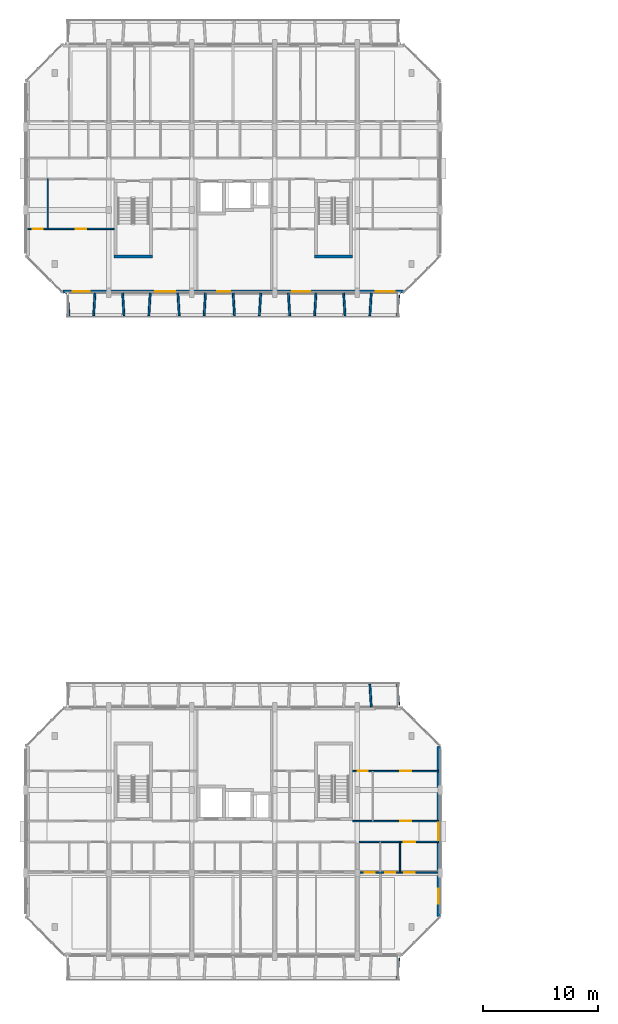
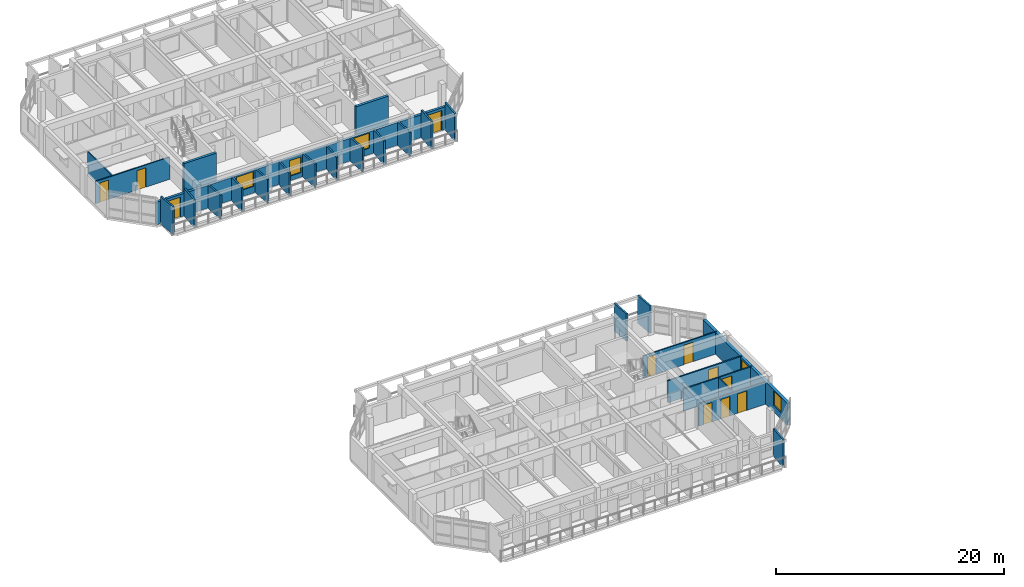
# One storey, part 19 of 45: 27 walls, 11 doors, 5 windows, 16 openings.
"""IFC4 building model written with IfcOpenShell, lengths in metres."""

from ifc_helpers import new_model, si_unit, direction, frame, frame_2d, origin, place, context, subcontext, project, spatial, rectangle, extrude, material, layer, layer_set, type_object, element, fill, save


model = new_model("IFC4")

# Units and contexts
model_context = context("Model", 3, precision=1e-05, world=origin(), true_north=direction((0.0, 1.0)))
body_context = subcontext(model_context, "Body", "Model", "MODEL_VIEW")
ifc_project = project(units=[si_unit("LENGTHUNIT", "METRE"), si_unit("AREAUNIT", "SQUARE_METRE"), si_unit("VOLUMEUNIT", "CUBIC_METRE"), si_unit("PLANEANGLEUNIT", "RADIAN"), si_unit("MASSUNIT", "GRAM", prefix="KILO")], contexts=[model_context])

# Site, building, storey
site_placement = place(None, origin())
site = spatial("IfcSite", under=ifc_project, at=site_placement, CompositionType="ELEMENT")
building_placement = place(site_placement, origin())
building = spatial("IfcBuilding", under=site, at=building_placement, Name="Ochrevale Crest", CompositionType="ELEMENT")
storey_placement = place(building_placement, frame((0.0, 0.0, 18.14990234375)))
storey = spatial("IfcBuildingStorey", under=building, at=storey_placement, Name="L05", CompositionType="ELEMENT", Elevation=18.14990234375)

# Wall, opening, door
ifc_material_1 = material(Name="Gypsum plasterboard", Category="gypsum")
ifc_layer_1 = layer(ifc_material_1, 0.139892578125)
ifc_layer_set_1 = layer_set([ifc_layer_1], Name="Gypsum plasterboard")
wall_type_1 = type_object("IfcWallType", Name="WL-COR-140", PredefinedType="PARTITIONING", material=ifc_layer_set_1)
wall_1_placement = place(storey_placement, frame((28.93994140625, 24.300048828125, 0.0), z_axis=(0.0, 0.0, 1.0), x_axis=(1.0, 0.0, 0.0)))
wall_1 = element("IfcWall", 1, at=wall_1_placement, inside=storey, type_object=wall_type_1, Name="Apartment A-L05-U5 corridor wall", PredefinedType="PARTITIONING", context=body_context, shape_type="SweptSolid", body=[
    extrude(rectangle(XDim=6.920166015625, YDim=0.139892578125, at=frame_2d((3.4599609375, 0.0))), origin(), (0.0, 0.0, 1.0), 2.380126953125),
])
opening_1_placement = place(wall_1_placement, frame((4.875, 0.0, 0.0), z_axis=(0.0, 0.0, 1.0), x_axis=(-1.0, 0.0, 0.0)))
opening_1 = element("IfcOpeningElement", 2, at=opening_1_placement, cuts=wall_1, Name="Opening FD01", PredefinedType="OPENING", context=body_context, shape_type="SweptSolid", body=[
    extrude(rectangle(XDim=0.97998046875, YDim=2.10009765625, at=frame_2d((0.489990234375, 1.050048828125))), frame((0.0, 0.080078125, 0.0), z_axis=(0.0, -1.0, 0.0), x_axis=(1.0, 0.0, 0.0)), (0.0, 0.0, 1.0), 0.159912109375),
])
ifc_material_2 = material(Name="Solid-core FSC hardwood", Category="wood")
door_type_1 = type_object("IfcDoorType", Name="DR-APT-950", OperationType="NOTDEFINED", PredefinedType="DOOR", material=ifc_material_2)
door_1_placement = place(opening_1_placement, origin())
door_1 = element("IfcDoor", 3, at=door_1_placement, inside=storey, type_object=door_type_1, Name="Apartment A-L05-U5 entrance door", OperationType="SINGLE_SWING_RIGHT", OverallHeight=2.10009765625, OverallWidth=0.97998046875, PredefinedType="DOOR", context=body_context, shape_type="SweptSolid", body=[
    extrude(rectangle(XDim=0.97998046875, YDim=2.10009765625, at=frame_2d((0.489990234375, 1.050048828125))), frame((0.0, 0.02490234375, 0.0), z_axis=(0.0, -1.0, 0.0), x_axis=(1.0, 0.0, 0.0)), (0.0, 0.0, 1.0), 0.050048828125),
])
fill(opening_1, door_1)

wall_2_placement = place(storey_placement, frame((28.389892578125, 26.10009765625, 0.0), z_axis=(0.0, 0.0, 1.0), x_axis=(1.0, 0.0, 0.0)))
wall_2 = element("IfcWall", 4, at=wall_2_placement, inside=storey, type_object=wall_type_1, Name="Suite A-L05-CE corridor wall", PredefinedType="PARTITIONING", context=body_context, shape_type="SweptSolid", body=[
    extrude(rectangle(XDim=7.47021484375, YDim=0.139892578125, at=frame_2d((3.735107421875, 0.0))), origin(), (0.0, 0.0, 1.0), 2.380126953125),
])
opening_2_placement = place(wall_2_placement, frame((5.10009765625, 0.0, 0.0), z_axis=(0.0, 0.0, 1.0), x_axis=(-1.0, 0.0, 0.0)))
opening_2 = element("IfcOpeningElement", 5, at=opening_2_placement, cuts=wall_2, Name="Opening FD01", PredefinedType="OPENING", context=body_context, shape_type="SweptSolid", body=[
    extrude(rectangle(XDim=0.97998046875, YDim=2.10009765625, at=frame_2d((0.489990234375, 1.050048828125))), frame((0.0, 0.080078125, 0.0), z_axis=(0.0, -1.0, 0.0), x_axis=(1.0, 0.0, 0.0)), (0.0, 0.0, 1.0), 0.159912109375),
])
door_2_placement = place(opening_2_placement, origin())
door_2 = element("IfcDoor", 6, at=door_2_placement, inside=storey, type_object=door_type_1, Name="Suite A-L05-CE entrance door", OperationType="SINGLE_SWING_RIGHT", OverallHeight=2.10009765625, OverallWidth=0.97998046875, PredefinedType="DOOR", context=body_context, shape_type="SweptSolid", body=[
    extrude(rectangle(XDim=0.97998046875, YDim=2.10009765625, at=frame_2d((0.489990234375, 1.050048828125))), frame((0.0, 0.02490234375, 0.0), z_axis=(0.0, -1.0, 0.0), x_axis=(1.0, 0.0, 0.0)), (0.0, 0.0, 1.0), 0.050048828125),
])
fill(opening_2, door_2)

# Walls
ifc_material_3 = material(Name="Precast concrete C50/60", Category="concrete")
ifc_layer_2 = layer(ifc_material_3, 0.2548828125)
ifc_layer_set_2 = layer_set([ifc_layer_2], Name="Precast concrete C50/60")
wall_type_2 = type_object("IfcWallType", Name="WL-CORE-255", PredefinedType="SHEAR", material=ifc_layer_set_2)
for number, where, z_axis, x_axis, name in (
    (7, (7.672607421875, 75.14990234375, 0.0), (0.0, 0.0, 1.0), (1.0, 0.0, 0.0), "Block B L05 Stair 1 precast core shear wall S"),
    (8, (25.072509765625, 75.14990234375, 0.0), (0.0, 0.0, 1.0), (1.0, 0.0, 0.0), "Block B L05 Stair 2 precast core shear wall S"),
):
    element("IfcWall", number, at=place(storey_placement, frame(where, z_axis=z_axis, x_axis=x_axis)), inside=storey, type_object=wall_type_2, Name=name, PredefinedType="SHEAR", context=body_context, shape_type="SweptSolid", body=[
        extrude(rectangle(XDim=3.304931640625, YDim=0.2548828125, at=frame_2d((1.65234375, 0.0))), origin(), (0.0, 0.0, 1.0), 3.150146484375),
    ])

# Wall, openings, windows
ifc_material_4 = material(Name="Clay face brickwork", Category="masonry")
ifc_layer_3 = layer(ifc_material_4, 0.2900390625)
ifc_layer_set_3 = layer_set([ifc_layer_3], Name="Clay face brickwork")
wall_type_3 = type_object("IfcWallType", Name="WL-EXT-BRICK-290", PredefinedType="SOLIDWALL", material=ifc_layer_set_3)
wall_3_placement = place(storey_placement, frame((35.85498046875, 17.800048828125, 0.0), z_axis=(0.0, 0.0, 1.0), x_axis=(0.0, 1.0, 0.0)))
wall_3 = element("IfcWall", 9, at=wall_3_placement, inside=storey, type_object=wall_type_3, Name="Block A L05 external facade wall E3", PredefinedType="SOLIDWALL", context=body_context, shape_type="SweptSolid", body=[
    extrude(rectangle(XDim=14.800048828125, YDim=0.2900390625, at=frame_2d((7.39990234375, 0.0))), origin(), (0.0, 0.0, 1.0), 2.380126953125),
])
opening_3_placement = place(wall_3_placement, frame((6.64990234375, 0.0, 1.050048828125)))
opening_3 = element("IfcOpeningElement", 10, at=opening_3_placement, cuts=wall_3, Name="Opening W18", PredefinedType="OPENING", context=body_context, shape_type="SweptSolid", body=[
    extrude(rectangle(XDim=1.5, YDim=1.14990234375, at=frame_2d((0.75, 0.574951171875))), frame((0.0, 0.155029296875, 0.0), z_axis=(0.0, -1.0, 0.0), x_axis=(1.0, 0.0, 0.0)), (0.0, 0.0, 1.0), 0.31005859375),
])
opening_4_placement = place(wall_3_placement, frame((1.135009765625, 0.0, 0.719970703125)))
opening_4 = element("IfcOpeningElement", 11, at=opening_4_placement, cuts=wall_3, Name="Opening W30", PredefinedType="OPENING", context=body_context, shape_type="SweptSolid", body=[
    extrude(rectangle(XDim=1.300048828125, YDim=1.550048828125, at=frame_2d((0.64990234375, 0.77490234375))), frame((0.0, 0.155029296875, 0.0), z_axis=(0.0, -1.0, 0.0), x_axis=(1.0, 0.0, 0.0)), (0.0, 0.0, 1.0), 0.31005859375),
])
ifc_material_5 = material(Name="Anodised aluminium 6063-T5 and low-E double glazing", Category="aluminium")
window_type_1 = type_object("IfcWindowType", Name="WIN-W18", PartitioningType="SINGLE_PANEL", PredefinedType="WINDOW", material=ifc_material_5)
window_1_placement = place(opening_3_placement, origin())
window_1 = element("IfcWindow", 12, at=window_1_placement, inside=storey, type_object=window_type_1, Name="Block A L05 corridor end daylight window E", OverallHeight=1.14990234375, OverallWidth=1.5, PartitioningType="SINGLE_PANEL", PredefinedType="WINDOW", context=body_context, shape_type="SweptSolid", body=[
    extrude(rectangle(XDim=1.5, YDim=1.14990234375, at=frame_2d((0.75, 0.574951171875))), frame((0.0, 0.030029296875, 0.0), z_axis=(0.0, -1.0, 0.0), x_axis=(1.0, 0.0, 0.0)), (0.0, 0.0, 1.0), 0.06005859375),
])
fill(opening_3, window_1)
window_type_2 = type_object("IfcWindowType", Name="WIN-W30", PartitioningType="SINGLE_PANEL", PredefinedType="WINDOW", material=ifc_material_5)
window_2_placement = place(opening_4_placement, origin())
window_2 = element("IfcWindow", 13, at=window_2_placement, inside=storey, type_object=window_type_2, Name="Block A L05 side suite window E", OverallHeight=1.550048828125, OverallWidth=1.300048828125, PartitioningType="SINGLE_PANEL", PredefinedType="WINDOW", context=body_context, shape_type="SweptSolid", body=[
    extrude(rectangle(XDim=1.300048828125, YDim=1.550048828125, at=frame_2d((0.64990234375, 0.77490234375))), frame((0.0, 0.030029296875, 0.0), z_axis=(0.0, -1.0, 0.0), x_axis=(1.0, 0.0, 0.0)), (0.0, 0.0, 1.0), 0.06005859375),
])
fill(opening_4, window_2)

# Wall, openings, doors, windows
ifc_material_6 = material(Name="Precast concrete C40/50", Category="concrete")
ifc_layer_4 = layer(ifc_material_6, 0.25)
ifc_layer_set_4 = layer_set([ifc_layer_4], Name="Precast concrete C40/50")
wall_type_4 = type_object("IfcWallType", Name="WL-EXT-GOLD-250", PredefinedType="SOLIDWALL", material=ifc_layer_set_4)
wall_4_placement = place(storey_placement, frame((3.199951171875, 72.125, 0.0), z_axis=(0.0, 0.0, 1.0), x_axis=(1.0, 0.0, 0.0)))
wall_4 = element("IfcWall", 14, at=wall_4_placement, inside=storey, type_object=wall_type_4, Name="Block B L05 external facade wall E1", PredefinedType="SOLIDWALL", context=body_context, shape_type="SweptSolid", body=[
    extrude(rectangle(XDim=29.60009765625, YDim=0.25, at=frame_2d((14.800048828125, 0.0))), origin(), (0.0, 0.0, 1.0), 2.43017578125),
])
opening_5_placement = place(wall_4_placement, frame((2.35009765625, 0.0, 0.0), z_axis=(0.0, 0.0, 1.0), x_axis=(-1.0, 0.0, 0.0)))
opening_5 = element("IfcOpeningElement", 15, at=opening_5_placement, cuts=wall_4, Name="Opening BD01", PredefinedType="OPENING", context=body_context, shape_type="SweptSolid", body=[
    extrude(rectangle(XDim=1.5, YDim=2.14990234375, at=frame_2d((0.75, 1.074951171875))), frame((0.0, 0.135009765625, 0.0), z_axis=(0.0, -1.0, 0.0), x_axis=(1.0, 0.0, 0.0)), (0.0, 0.0, 1.0), 0.27001953125),
])
opening_6_placement = place(wall_4_placement, frame((28.824951171875, 0.0, 0.0), z_axis=(0.0, 0.0, 1.0), x_axis=(-1.0, 0.0, 0.0)))
opening_6 = element("IfcOpeningElement", 16, at=opening_6_placement, cuts=wall_4, Name="Opening BD02", PredefinedType="OPENING", context=body_context, shape_type="SweptSolid", body=[
    extrude(rectangle(XDim=1.64990234375, YDim=2.14990234375, at=frame_2d((0.824951171875, 1.074951171875))), frame((0.0, 0.135009765625, 0.0), z_axis=(0.0, -1.0, 0.0), x_axis=(1.0, 0.0, 0.0)), (0.0, 0.0, 1.0), 0.27001953125),
])
opening_7_placement = place(wall_4_placement, frame((13.419921875, 0.0, 0.5)))
opening_7 = element("IfcOpeningElement", 17, at=opening_7_placement, cuts=wall_4, Name="Opening W32", PredefinedType="OPENING", context=body_context, shape_type="SweptSolid", body=[
    extrude(rectangle(XDim=1.14990234375, YDim=1.679931640625, at=frame_2d((0.574951171875, 0.83984375))), frame((0.0, 0.135009765625, 0.0), z_axis=(0.0, -1.0, 0.0), x_axis=(1.0, 0.0, 0.0)), (0.0, 0.0, 1.0), 0.27001953125),
])
opening_8_placement = place(wall_4_placement, frame((19.93505859375, 0.0, 0.699951171875)))
opening_8 = element("IfcOpeningElement", 18, at=opening_8_placement, cuts=wall_4, Name="Opening W09", PredefinedType="OPENING", context=body_context, shape_type="SweptSolid", body=[
    extrude(rectangle(XDim=1.580078125, YDim=1.60009765625, at=frame_2d((0.7900390625, 0.800048828125))), frame((0.0, 0.135009765625, 0.0), z_axis=(0.0, -1.0, 0.0), x_axis=(1.0, 0.0, 0.0)), (0.0, 0.0, 1.0), 0.27001953125),
])
opening_9_placement = place(wall_4_placement, frame((8.0400390625, 0.0, 0.699951171875)))
opening_9 = element("IfcOpeningElement", 19, at=opening_9_placement, cuts=wall_4, Name="Opening W10", PredefinedType="OPENING", context=body_context, shape_type="SweptSolid", body=[
    extrude(rectangle(XDim=1.719970703125, YDim=1.60009765625, at=frame_2d((0.85986328125, 0.800048828125))), frame((0.0, 0.135009765625, 0.0), z_axis=(0.0, -1.0, 0.0), x_axis=(1.0, 0.0, 0.0)), (0.0, 0.0, 1.0), 0.27001953125),
])
ifc_material_7 = material(Name="Anodised aluminium 6063-T5 and toughened glass", Category="aluminium")
door_type_2 = type_object("IfcDoorType", Name="DR-BAL-1500", OperationType="NOTDEFINED", PredefinedType="DOOR", material=ifc_material_7)
door_3_placement = place(opening_5_placement, origin())
door_3 = element("IfcDoor", 20, at=door_3_placement, inside=storey, type_object=door_type_2, Name="Block B L05 balcony door S1", OperationType="SINGLE_SWING_RIGHT", OverallHeight=2.14990234375, OverallWidth=1.5, PredefinedType="DOOR", context=body_context, shape_type="SweptSolid", body=[
    extrude(rectangle(XDim=1.5, YDim=2.14990234375, at=frame_2d((0.75, 1.074951171875))), frame((0.0, 0.02490234375, 0.0), z_axis=(0.0, -1.0, 0.0), x_axis=(1.0, 0.0, 0.0)), (0.0, 0.0, 1.0), 0.050048828125),
])
fill(opening_5, door_3)
door_type_3 = type_object("IfcDoorType", Name="DR-BAL-1650", OperationType="NOTDEFINED", PredefinedType="DOOR", material=ifc_material_7)
door_4_placement = place(opening_6_placement, origin())
door_4 = element("IfcDoor", 21, at=door_4_placement, inside=storey, type_object=door_type_3, Name="Block B L05 balcony door S5", OperationType="SINGLE_SWING_LEFT", OverallHeight=2.14990234375, OverallWidth=1.64990234375, PredefinedType="DOOR", context=body_context, shape_type="SweptSolid", body=[
    extrude(rectangle(XDim=1.64990234375, YDim=2.14990234375, at=frame_2d((0.824951171875, 1.074951171875))), frame((0.0, 0.02490234375, 0.0), z_axis=(0.0, -1.0, 0.0), x_axis=(1.0, 0.0, 0.0)), (0.0, 0.0, 1.0), 0.050048828125),
])
fill(opening_6, door_4)
window_type_3 = type_object("IfcWindowType", Name="WIN-W09", PartitioningType="SINGLE_PANEL", PredefinedType="WINDOW", material=ifc_material_5)
window_3_placement = place(opening_8_placement, origin())
window_3 = element("IfcWindow", 22, at=window_3_placement, inside=storey, type_object=window_type_3, Name="Block B L05 Suite B-L05-ME Garden Alcove Studio window", OverallHeight=1.60009765625, OverallWidth=1.580078125, PartitioningType="SINGLE_PANEL", PredefinedType="WINDOW", context=body_context, shape_type="SweptSolid", body=[
    extrude(rectangle(XDim=1.580078125, YDim=1.60009765625, at=frame_2d((0.7900390625, 0.800048828125))), frame((0.0, 0.030029296875, 0.0), z_axis=(0.0, -1.0, 0.0), x_axis=(1.0, 0.0, 0.0)), (0.0, 0.0, 1.0), 0.06005859375),
])
fill(opening_8, window_3)
window_type_4 = type_object("IfcWindowType", Name="WIN-W10", PartitioningType="SINGLE_PANEL", PredefinedType="WINDOW", material=ifc_material_5)
window_4_placement = place(opening_9_placement, origin())
window_4 = element("IfcWindow", 23, at=window_4_placement, inside=storey, type_object=window_type_4, Name="Block B L05 Suite B-L05-MW Courtyard Studio Living window", OverallHeight=1.60009765625, OverallWidth=1.719970703125, PartitioningType="SINGLE_PANEL", PredefinedType="WINDOW", context=body_context, shape_type="SweptSolid", body=[
    extrude(rectangle(XDim=1.719970703125, YDim=1.60009765625, at=frame_2d((0.85986328125, 0.800048828125))), frame((0.0, 0.030029296875, 0.0), z_axis=(0.0, -1.0, 0.0), x_axis=(1.0, 0.0, 0.0)), (0.0, 0.0, 1.0), 0.06005859375),
])
fill(opening_9, window_4)
window_type_5 = type_object("IfcWindowType", Name="WIN-W32", PartitioningType="SINGLE_PANEL", PredefinedType="WINDOW", material=ifc_material_5)
window_5_placement = place(opening_7_placement, origin())
window_5 = element("IfcWindow", 24, at=window_5_placement, inside=storey, type_object=window_type_5, Name="Block B L05 core lancet window", OverallHeight=1.679931640625, OverallWidth=1.14990234375, PartitioningType="SINGLE_PANEL", PredefinedType="WINDOW", context=body_context, shape_type="SweptSolid", body=[
    extrude(rectangle(XDim=1.14990234375, YDim=1.679931640625, at=frame_2d((0.574951171875, 0.83984375))), frame((0.0, 0.030029296875, 0.0), z_axis=(0.0, -1.0, 0.0), x_axis=(1.0, 0.0, 0.0)), (0.0, 0.0, 1.0), 0.06005859375),
])
fill(opening_7, window_5)

# Walls
ifc_layer_5 = layer(ifc_material_6, 0.1650390625)
ifc_layer_set_5 = layer_set([ifc_layer_5], Name="Precast concrete C40/50")
wall_type_5 = type_object("IfcWallType", Name="WL-HC-CHEEK-165", PredefinedType="ELEMENTEDWALL", material=ifc_layer_set_5)
wall_5_placement = place(storey_placement, frame((32.39990234375, 14.3798828125, 0.0), z_axis=(0.0, 0.0, 1.0), x_axis=(-0.071194071069, -0.997462482625, 0.0)))
element("IfcWall", 25, at=wall_5_placement, inside=storey, type_object=wall_type_5, Name="Block A L05 S precast honeycomb cheek 13", PredefinedType="ELEMENTEDWALL", context=body_context, shape_type="SweptSolid", body=[
    extrude(rectangle(XDim=1.96484375, YDim=0.1650390625, at=frame_2d((0.982421875, 0.0))), origin(), (0.0, 0.0, 1.0), 2.9501953125),
])
wall_6_placement = place(storey_placement, frame((30.0, 36.02001953125, 0.0), z_axis=(0.0, 0.0, 1.0), x_axis=(-0.061170732449, 0.998127317276, 0.0)))
element("IfcWall", 26, at=wall_6_placement, inside=storey, type_object=wall_type_5, Name="Block A L05 N precast honeycomb cheek 12", PredefinedType="ELEMENTEDWALL", context=body_context, shape_type="SweptSolid", body=[
    extrude(rectangle(XDim=1.963623046875, YDim=0.1650390625, at=frame_2d((0.98193359375, 0.0))), origin(), (0.0, 0.0, 1.0), 2.9501953125),
])
for number, where, z_axis, x_axis, name in (
    (27, (32.39990234375, 36.02001953125, 0.0), (0.0, 0.0, 1.0), (-0.071194071069, 0.997462482625, 0.0), "Block A L05 N precast honeycomb cheek 13"),
    (28, (3.60009765625, 71.97998046875, 0.0), (0.0, 0.0, 1.0), (0.071194071069, -0.997462482625, 0.0), "Block B L05 S precast honeycomb cheek 1"),
):
    element("IfcWall", number, at=place(storey_placement, frame(where, z_axis=z_axis, x_axis=x_axis)), inside=storey, type_object=wall_type_5, Name=name, PredefinedType="ELEMENTEDWALL", context=body_context, shape_type="SweptSolid", body=[
        extrude(rectangle(XDim=1.96484375, YDim=0.1650390625, at=frame_2d((0.982421875, 0.0))), origin(), (0.0, 0.0, 1.0), 2.9501953125),
    ])
wall_7_placement = place(storey_placement, frame((6.0, 71.97998046875, 0.0), z_axis=(0.0, 0.0, 1.0), x_axis=(-0.061170732449, -0.998127317276, 0.0)))
element("IfcWall", 29, at=wall_7_placement, inside=storey, type_object=wall_type_5, Name="Block B L05 S precast honeycomb cheek 2", PredefinedType="ELEMENTEDWALL", context=body_context, shape_type="SweptSolid", body=[
    extrude(rectangle(XDim=1.963623046875, YDim=0.1650390625, at=frame_2d((0.98193359375, 0.0))), origin(), (0.0, 0.0, 1.0), 2.9501953125),
])
for number, where, z_axis, x_axis, name in (
    (30, (8.39990234375, 71.97998046875, 0.0), (0.0, 0.0, 1.0), (0.061170732449, -0.998127317276, 0.0), "Block B L05 S precast honeycomb cheek 3"),
    (31, (10.800048828125, 71.97998046875, 0.0), (0.0, 0.0, 1.0), (-0.061170732449, -0.998127317276, 0.0), "Block B L05 S precast honeycomb cheek 4"),
    (32, (13.199951171875, 71.97998046875, 0.0), (0.0, 0.0, 1.0), (0.061170732449, -0.998127317276, 0.0), "Block B L05 S precast honeycomb cheek 5"),
):
    element("IfcWall", number, at=place(storey_placement, frame(where, z_axis=z_axis, x_axis=x_axis)), inside=storey, type_object=wall_type_5, Name=name, PredefinedType="ELEMENTEDWALL", context=body_context, shape_type="SweptSolid", body=[
        extrude(rectangle(XDim=1.963623046875, YDim=0.1650390625, at=frame_2d((0.98193359375, 0.0))), origin(), (0.0, 0.0, 1.0), 2.530029296875),
    ])
for number, where, z_axis, x_axis, name in (
    (33, (15.60009765625, 71.97998046875, 0.0), (0.0, 0.0, 1.0), (-0.061170732449, -0.998127317276, 0.0), "Block B L05 S precast honeycomb cheek 6"),
    (34, (18.0, 71.97998046875, 0.0), (0.0, 0.0, 1.0), (0.061170732449, -0.998127317276, 0.0), "Block B L05 S precast honeycomb cheek 7"),
    (35, (20.39990234375, 71.97998046875, 0.0), (0.0, 0.0, 1.0), (-0.061046865508, -0.998134900808, 0.0), "Block B L05 S precast honeycomb cheek 8"),
):
    element("IfcWall", number, at=place(storey_placement, frame(where, z_axis=z_axis, x_axis=x_axis)), inside=storey, type_object=wall_type_5, Name=name, PredefinedType="ELEMENTEDWALL", context=body_context, shape_type="SweptSolid", body=[
        extrude(rectangle(XDim=1.963623046875, YDim=0.1650390625, at=frame_2d((0.98193359375, 0.0))), origin(), (0.0, 0.0, 1.0), 2.47998046875),
    ])
for number, where, z_axis, x_axis, name in (
    (36, (22.800048828125, 71.97998046875, 0.0), (0.0, 0.0, 1.0), (0.061046865508, -0.998134900808, 0.0), "Block B L05 S precast honeycomb cheek 9"),
    (37, (25.199951171875, 71.97998046875, 0.0), (0.0, 0.0, 1.0), (-0.061046865508, -0.998134900808, 0.0), "Block B L05 S precast honeycomb cheek 10"),
    (38, (27.60009765625, 71.97998046875, 0.0), (0.0, 0.0, 1.0), (0.061046865508, -0.998134900808, 0.0), "Block B L05 S precast honeycomb cheek 11"),
):
    element("IfcWall", number, at=place(storey_placement, frame(where, z_axis=z_axis, x_axis=x_axis)), inside=storey, type_object=wall_type_5, Name=name, PredefinedType="ELEMENTEDWALL", context=body_context, shape_type="SweptSolid", body=[
        extrude(rectangle(XDim=1.963623046875, YDim=0.1650390625, at=frame_2d((0.98193359375, 0.0))), origin(), (0.0, 0.0, 1.0), 2.530029296875),
    ])
wall_8_placement = place(storey_placement, frame((30.0, 71.97998046875, 0.0), z_axis=(0.0, 0.0, 1.0), x_axis=(-0.061170732449, -0.998127317276, 0.0)))
element("IfcWall", 39, at=wall_8_placement, inside=storey, type_object=wall_type_5, Name="Block B L05 S precast honeycomb cheek 12", PredefinedType="ELEMENTEDWALL", context=body_context, shape_type="SweptSolid", body=[
    extrude(rectangle(XDim=1.963623046875, YDim=0.1650390625, at=frame_2d((0.98193359375, 0.0))), origin(), (0.0, 0.0, 1.0), 2.9501953125),
])
wall_9_placement = place(storey_placement, frame((32.39990234375, 71.97998046875, 0.0), z_axis=(0.0, 0.0, 1.0), x_axis=(-0.071194071069, -0.997462482625, 0.0)))
element("IfcWall", 40, at=wall_9_placement, inside=storey, type_object=wall_type_5, Name="Block B L05 S precast honeycomb cheek 13", PredefinedType="ELEMENTEDWALL", context=body_context, shape_type="SweptSolid", body=[
    extrude(rectangle(XDim=1.96484375, YDim=0.1650390625, at=frame_2d((0.982421875, 0.0))), origin(), (0.0, 0.0, 1.0), 2.9501953125),
])
ifc_layer_6 = layer(ifc_material_1, 0.1201171875)
ifc_layer_set_6 = layer_set([ifc_layer_6], Name="Gypsum plasterboard")
wall_type_6 = type_object("IfcWallType", Name="WL-PART-120", PredefinedType="PARTITIONING", material=ifc_layer_set_6)
wall_10_placement = place(storey_placement, frame((32.5, 21.64990234375, 0.0), z_axis=(0.0, 0.0, 1.0), x_axis=(0.0, 1.0, 0.0)))
element("IfcWall", 41, at=wall_10_placement, inside=storey, type_object=wall_type_6, Name="Apartment A-L05-U5 kitchen-foyer wall", PredefinedType="PARTITIONING", context=body_context, shape_type="SweptSolid", body=[
    extrude(rectangle(XDim=2.650146484375, YDim=0.1201171875, at=frame_2d((1.3251953125, 0.0))), origin(), (0.0, 0.0, 1.0), 2.375),
])

# Wall, openings, doors
wall_11_placement = place(storey_placement, frame((28.93994140625, 21.64990234375, 0.0), z_axis=(0.0, 0.0, 1.0), x_axis=(1.0, 0.0, 0.0)))
wall_11 = element("IfcWall", 42, at=wall_11_placement, inside=storey, type_object=wall_type_6, Name="Apartment A-L05-U5 central partition", PredefinedType="PARTITIONING", context=body_context, shape_type="SweptSolid", body=[
    extrude(rectangle(XDim=6.920166015625, YDim=0.1201171875, at=frame_2d((3.4599609375, 0.0))), origin(), (0.0, 0.0, 1.0), 2.375),
])
opening_10_placement = place(wall_11_placement, frame((0.5, 0.0, 0.0)))
opening_10 = element("IfcOpeningElement", 43, at=opening_10_placement, cuts=wall_11, Name="Opening ID01", PredefinedType="OPENING", context=body_context, shape_type="SweptSolid", body=[
    extrude(rectangle(XDim=0.85009765625, YDim=2.080078125, at=frame_2d((0.425048828125, 1.0400390625))), frame((0.0, 0.070068359375, 0.0), z_axis=(0.0, -1.0, 0.0), x_axis=(1.0, 0.0, 0.0)), (0.0, 0.0, 1.0), 0.14013671875),
])
opening_11_placement = place(wall_11_placement, frame((3.15478515625, 0.0, 0.0), z_axis=(0.0, 0.0, 1.0), x_axis=(-1.0, 0.0, 0.0)))
opening_11 = element("IfcOpeningElement", 44, at=opening_11_placement, cuts=wall_11, Name="Opening ID02", PredefinedType="OPENING", context=body_context, shape_type="SweptSolid", body=[
    extrude(rectangle(XDim=0.89990234375, YDim=2.080078125, at=frame_2d((0.449951171875, 1.0400390625))), frame((0.0, 0.070068359375, 0.0), z_axis=(0.0, -1.0, 0.0), x_axis=(1.0, 0.0, 0.0)), (0.0, 0.0, 1.0), 0.14013671875),
])
opening_12_placement = place(wall_11_placement, frame((3.909912109375, 0.0, 0.0)))
opening_12 = element("IfcOpeningElement", 45, at=opening_12_placement, cuts=wall_11, Name="Opening ID06", PredefinedType="OPENING", context=body_context, shape_type="SweptSolid", body=[
    extrude(rectangle(XDim=0.949951171875, YDim=2.080078125, at=frame_2d((0.47509765625, 1.0400390625))), frame((0.0, 0.070068359375, 0.0), z_axis=(0.0, -1.0, 0.0), x_axis=(1.0, 0.0, 0.0)), (0.0, 0.0, 1.0), 0.14013671875),
])
door_type_4 = type_object("IfcDoorType", Name="DR-INT-900", OperationType="NOTDEFINED", PredefinedType="DOOR", material=ifc_material_2)
door_5_placement = place(opening_11_placement, origin())
door_5 = element("IfcDoor", 46, at=door_5_placement, inside=storey, type_object=door_type_4, Name="Apartment A-L05-U5 Kitchen door", OperationType="SINGLE_SWING_RIGHT", OverallHeight=2.080078125, OverallWidth=0.89990234375, PredefinedType="DOOR", context=body_context, shape_type="SweptSolid", body=[
    extrude(rectangle(XDim=0.89990234375, YDim=2.080078125, at=frame_2d((0.449951171875, 1.0400390625))), frame((0.0, 0.02490234375, 0.0), z_axis=(0.0, -1.0, 0.0), x_axis=(1.0, 0.0, 0.0)), (0.0, 0.0, 1.0), 0.050048828125),
])
fill(opening_11, door_5)
door_type_5 = type_object("IfcDoorType", Name="DR-INT-950", OperationType="NOTDEFINED", PredefinedType="DOOR", material=ifc_material_2)
door_6_placement = place(opening_12_placement, origin())
door_6 = element("IfcDoor", 47, at=door_6_placement, inside=storey, type_object=door_type_5, Name="Apartment A-L05-U5 Living Foyer door", OperationType="SINGLE_SWING_LEFT", OverallHeight=2.080078125, OverallWidth=0.949951171875, PredefinedType="DOOR", context=body_context, shape_type="SweptSolid", body=[
    extrude(rectangle(XDim=0.949951171875, YDim=2.080078125, at=frame_2d((0.47509765625, 1.0400390625))), frame((0.0, 0.02490234375, 0.0), z_axis=(0.0, -1.0, 0.0), x_axis=(1.0, 0.0, 0.0)), (0.0, 0.0, 1.0), 0.050048828125),
])
fill(opening_12, door_6)
door_type_6 = type_object("IfcDoorType", Name="DR-WC-850", OperationType="NOTDEFINED", PredefinedType="DOOR", material=ifc_material_2)
door_7_placement = place(opening_10_placement, origin())
door_7 = element("IfcDoor", 48, at=door_7_placement, inside=storey, type_object=door_type_6, Name="Apartment A-L05-U5 Bathroom door", OperationType="SINGLE_SWING_LEFT", OverallHeight=2.080078125, OverallWidth=0.85009765625, PredefinedType="DOOR", context=body_context, shape_type="SweptSolid", body=[
    extrude(rectangle(XDim=0.85009765625, YDim=2.080078125, at=frame_2d((0.425048828125, 1.0400390625))), frame((0.0, 0.02490234375, 0.0), z_axis=(0.0, -1.0, 0.0), x_axis=(1.0, 0.0, 0.0)), (0.0, 0.0, 1.0), 0.050048828125),
])
fill(opening_10, door_7)

wall_12_placement = place(storey_placement, frame((28.389892578125, 30.449951171875, 0.0), z_axis=(0.0, 0.0, 1.0), x_axis=(1.0, 0.0, 0.0)))
wall_12 = element("IfcWall", 49, at=wall_12_placement, inside=storey, type_object=wall_type_6, Name="Suite A-L05-CE internal wall", PredefinedType="PARTITIONING", context=body_context, shape_type="SweptSolid", body=[
    extrude(rectangle(XDim=7.47021484375, YDim=0.1201171875, at=frame_2d((3.735107421875, 0.0))), origin(), (0.0, 0.0, 1.0), 2.380126953125),
])
opening_13_placement = place(wall_12_placement, frame((0.449951171875, 0.0, 0.0)))
opening_13 = element("IfcOpeningElement", 50, at=opening_13_placement, cuts=wall_12, Name="Opening ID01", PredefinedType="OPENING", context=body_context, shape_type="SweptSolid", body=[
    extrude(rectangle(XDim=0.85009765625, YDim=2.080078125, at=frame_2d((0.425048828125, 1.0400390625))), frame((0.0, 0.070068359375, 0.0), z_axis=(0.0, -1.0, 0.0), x_axis=(1.0, 0.0, 0.0)), (0.0, 0.0, 1.0), 0.14013671875),
])
opening_14_placement = place(wall_12_placement, frame((5.06982421875, 0.0, 0.0), z_axis=(0.0, 0.0, 1.0), x_axis=(-1.0, 0.0, 0.0)))
opening_14 = element("IfcOpeningElement", 51, at=opening_14_placement, cuts=wall_12, Name="Opening ID04", PredefinedType="OPENING", context=body_context, shape_type="SweptSolid", body=[
    extrude(rectangle(XDim=0.919921875, YDim=2.080078125, at=frame_2d((0.4599609375, 1.0400390625))), frame((0.0, 0.070068359375, 0.0), z_axis=(0.0, -1.0, 0.0), x_axis=(1.0, 0.0, 0.0)), (0.0, 0.0, 1.0), 0.14013671875),
])
door_type_7 = type_object("IfcDoorType", Name="DR-INT-920", OperationType="NOTDEFINED", PredefinedType="DOOR", material=ifc_material_2)
door_8_placement = place(opening_14_placement, origin())
door_8 = element("IfcDoor", 52, at=door_8_placement, inside=storey, type_object=door_type_7, Name="Suite A-L05-CE Master Bedroom door", OperationType="SINGLE_SWING_RIGHT", OverallHeight=2.080078125, OverallWidth=0.919921875, PredefinedType="DOOR", context=body_context, shape_type="SweptSolid", body=[
    extrude(rectangle(XDim=0.919921875, YDim=2.080078125, at=frame_2d((0.4599609375, 1.0400390625))), frame((0.0, 0.02490234375, 0.0), z_axis=(0.0, -1.0, 0.0), x_axis=(1.0, 0.0, 0.0)), (0.0, 0.0, 1.0), 0.050048828125),
])
fill(opening_14, door_8)
door_9_placement = place(opening_13_placement, origin())
door_9 = element("IfcDoor", 53, at=door_9_placement, inside=storey, type_object=door_type_6, Name="Suite A-L05-CE Bathroom door", OperationType="SINGLE_SWING_LEFT", OverallHeight=2.080078125, OverallWidth=0.85009765625, PredefinedType="DOOR", context=body_context, shape_type="SweptSolid", body=[
    extrude(rectangle(XDim=0.85009765625, YDim=2.080078125, at=frame_2d((0.425048828125, 1.0400390625))), frame((0.0, 0.02490234375, 0.0), z_axis=(0.0, -1.0, 0.0), x_axis=(1.0, 0.0, 0.0)), (0.0, 0.0, 1.0), 0.050048828125),
])
fill(opening_13, door_9)

wall_13_placement = place(storey_placement, frame((0.139892578125, 77.550048828125, 0.0), z_axis=(0.0, 0.0, 1.0), x_axis=(1.0, 0.0, 0.0)))
wall_13 = element("IfcWall", 54, at=wall_13_placement, inside=storey, type_object=wall_type_6, Name="Suite B-L05-CW internal wall", PredefinedType="PARTITIONING", context=body_context, shape_type="SweptSolid", body=[
    extrude(rectangle(XDim=7.52001953125, YDim=0.1201171875, at=frame_2d((3.760009765625, 0.0))), origin(), (0.0, 0.0, 1.0), 2.380126953125),
])
opening_15_placement = place(wall_13_placement, frame((0.449951171875, 0.0, 0.0)))
opening_15 = element("IfcOpeningElement", 55, at=opening_15_placement, cuts=wall_13, Name="Opening ID01", PredefinedType="OPENING", context=body_context, shape_type="SweptSolid", body=[
    extrude(rectangle(XDim=0.85009765625, YDim=2.080078125, at=frame_2d((0.425048828125, 1.0400390625))), frame((0.0, 0.070068359375, 0.0), z_axis=(0.0, -1.0, 0.0), x_axis=(1.0, 0.0, 0.0)), (0.0, 0.0, 1.0), 0.14013671875),
])
opening_16_placement = place(wall_13_placement, frame((5.094970703125, 0.0, 0.0), z_axis=(0.0, 0.0, 1.0), x_axis=(-1.0, 0.0, 0.0)))
opening_16 = element("IfcOpeningElement", 56, at=opening_16_placement, cuts=wall_13, Name="Opening ID04", PredefinedType="OPENING", context=body_context, shape_type="SweptSolid", body=[
    extrude(rectangle(XDim=0.919921875, YDim=2.080078125, at=frame_2d((0.4599609375, 1.0400390625))), frame((0.0, 0.070068359375, 0.0), z_axis=(0.0, -1.0, 0.0), x_axis=(1.0, 0.0, 0.0)), (0.0, 0.0, 1.0), 0.14013671875),
])
door_10_placement = place(opening_16_placement, origin())
door_10 = element("IfcDoor", 57, at=door_10_placement, inside=storey, type_object=door_type_7, Name="Suite B-L05-CW Garden Alcove Studio door", OperationType="SINGLE_SWING_RIGHT", OverallHeight=2.080078125, OverallWidth=0.919921875, PredefinedType="DOOR", context=body_context, shape_type="SweptSolid", body=[
    extrude(rectangle(XDim=0.919921875, YDim=2.080078125, at=frame_2d((0.4599609375, 1.0400390625))), frame((0.0, 0.02490234375, 0.0), z_axis=(0.0, -1.0, 0.0), x_axis=(1.0, 0.0, 0.0)), (0.0, 0.0, 1.0), 0.050048828125),
])
fill(opening_16, door_10)
door_11_placement = place(opening_15_placement, origin())
door_11 = element("IfcDoor", 58, at=door_11_placement, inside=storey, type_object=door_type_6, Name="Suite B-L05-CW Bathroom door", OperationType="SINGLE_SWING_LEFT", OverallHeight=2.080078125, OverallWidth=0.85009765625, PredefinedType="DOOR", context=body_context, shape_type="SweptSolid", body=[
    extrude(rectangle(XDim=0.85009765625, YDim=2.080078125, at=frame_2d((0.425048828125, 1.0400390625))), frame((0.0, 0.02490234375, 0.0), z_axis=(0.0, -1.0, 0.0), x_axis=(1.0, 0.0, 0.0)), (0.0, 0.0, 1.0), 0.050048828125),
])
fill(opening_15, door_11)

# Wall
ifc_layer_7 = layer(ifc_material_1, 0.10009765625)
ifc_layer_set_7 = layer_set([ifc_layer_7], Name="Gypsum plasterboard")
wall_type_7 = type_object("IfcWallType", Name="WL-WET-100", PredefinedType="PARTITIONING", material=ifc_layer_set_7)
wall_14_placement = place(storey_placement, frame((1.889892578125, 77.550048828125, 0.0), z_axis=(0.0, 0.0, 1.0), x_axis=(0.0, 1.0, 0.0)))
element("IfcWall", 59, at=wall_14_placement, inside=storey, type_object=wall_type_7, Name="Suite B-L05-CW bathroom divider", PredefinedType="PARTITIONING", context=body_context, shape_type="SweptSolid", body=[
    extrude(rectangle(XDim=4.349853515625, YDim=0.10009765625, at=frame_2d((2.1748046875, 0.0))), origin(), (0.0, 0.0, 1.0), 2.375),
])

save(model, "model.ifc")
